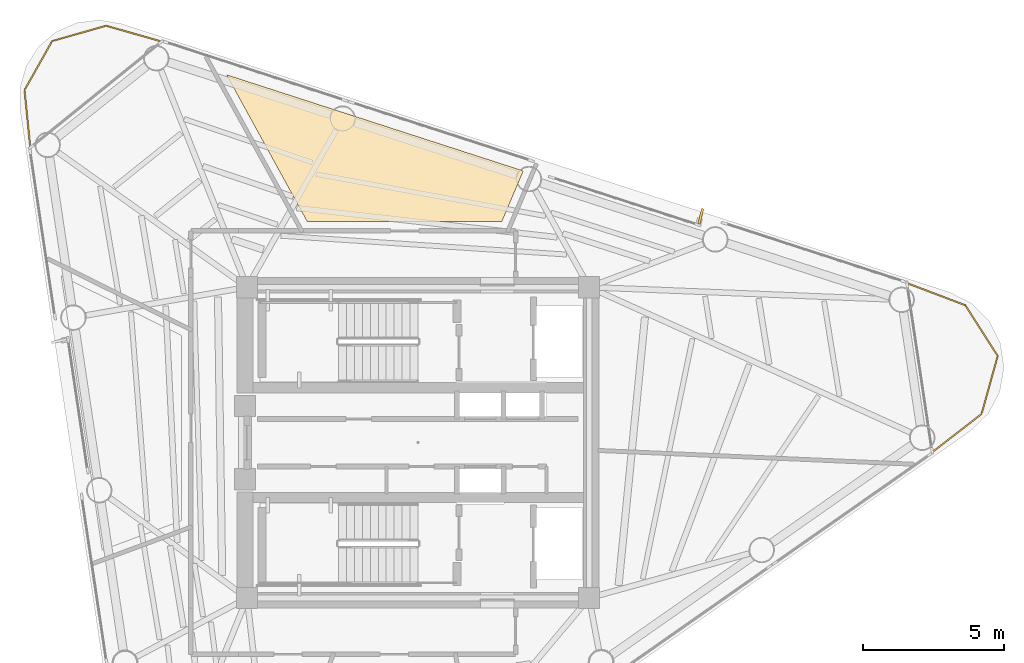
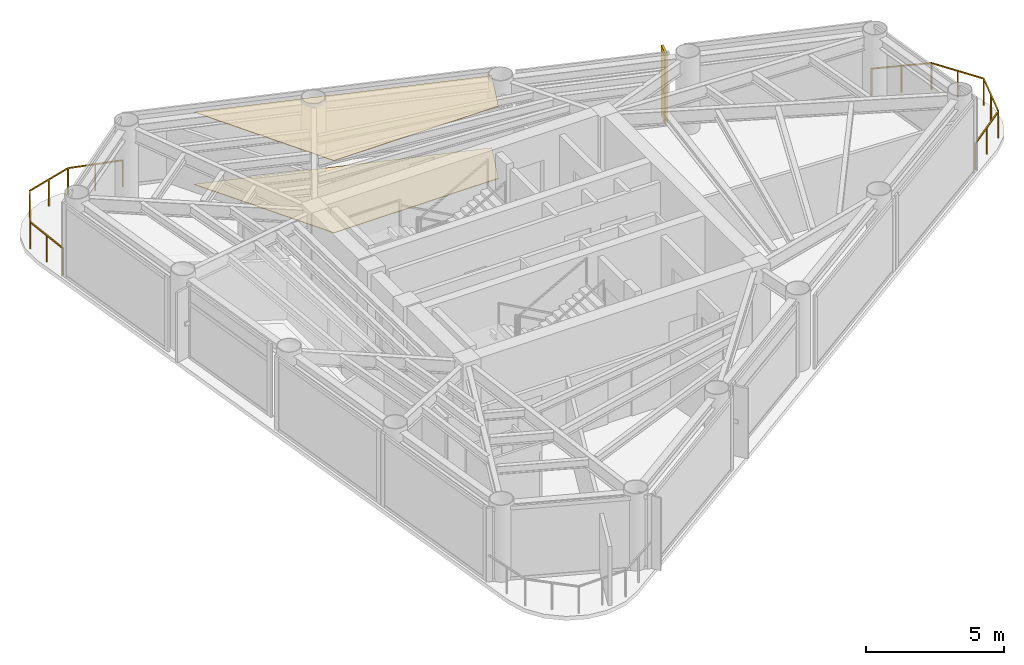
# One storey, part 9 of 9: 2 coverings, 2 railings, 1 shading device.
"""IFC4 building model written with IfcOpenShell, lengths in metres."""

from ifc_helpers import new_model, si_unit, direction, frame, origin, origin_2d, place, context, subcontext, project, spatial, polyline, rectangle, outline, extrude, source, transform, mapped, material, layer, layer_set, material_profile, profile_set, type_object, element, save


model = new_model("IFC4")

# Units and contexts
model_context = context("Model", 3, precision=1e-05, world=origin(), true_north=direction((0.0, 1.0)))
body_context = subcontext(model_context, "Body", "Model", "MODEL_VIEW")
ifc_project = project(units=[si_unit("LENGTHUNIT", "METRE"), si_unit("AREAUNIT", "SQUARE_METRE"), si_unit("VOLUMEUNIT", "CUBIC_METRE"), si_unit("PLANEANGLEUNIT", "RADIAN"), si_unit("MASSUNIT", "GRAM", prefix="KILO")], contexts=[model_context])

# Site, building, storey
site_placement = place(None, origin())
site = spatial("IfcSite", under=ifc_project, at=site_placement, CompositionType="ELEMENT")
building_placement = place(site_placement, origin())
building = spatial("IfcBuilding", under=site, at=building_placement, Name="Yunling Apex Tower", CompositionType="ELEMENT")
storey_placement = place(building_placement, frame((0.0, 0.0, 267.75)))
storey = spatial("IfcBuildingStorey", under=building, at=storey_placement, Name="L65", CompositionType="ELEMENT", Elevation=267.75)

# Coverings
ifc_material_1 = material(Name="Acoustic mineral fibre ceiling")
ifc_layer_1 = layer(ifc_material_1, 0.02490234375)
ifc_layer_set_1 = layer_set([ifc_layer_1], Name="Acoustic mineral fibre ceiling")
covering_type_1 = type_object("IfcCoveringType", Name="CV-CLG-1", PredefinedType="CEILING", material=ifc_layer_set_1)
covering_1_placement = place(storey_placement, frame((0.0, 0.0, 3.195068359375)))
element("IfcCovering", 1, at=covering_1_placement, inside=storey, type_object=covering_type_1, Name="CV-CL-SP-L65-AMN5", PredefinedType="CEILING", context=body_context, shape_type="SweptSolid", body=[
    extrude(outline(polyline([(-6.77978515625, 13.01708984375), (3.721923828125, 9.613037109375), (2.9609375, 7.820068359375), (-3.922607421875, 7.820068359375), (-6.77978515625, 13.01708984375)])), origin(), (0.0, 0.0, 1.0), 0.02490234375),
])
ifc_material_2 = material(Name="Polished granite stone", Category="masonry")
ifc_layer_2 = layer(ifc_material_2, 0.030029296875)
ifc_layer_set_2 = layer_set([ifc_layer_2], Name="Polished granite stone")
covering_type_2 = type_object("IfcCoveringType", Name="CV-FLR-1", PredefinedType="FLOORING", material=ifc_layer_set_2)
covering_2_placement = place(storey_placement, origin())
element("IfcCovering", 2, at=covering_2_placement, inside=storey, type_object=covering_type_2, Name="CV-FL-SP-L65-AMN5", PredefinedType="FLOORING", context=body_context, shape_type="SweptSolid", body=[
    extrude(outline(polyline([(-6.77978515625, 13.01708984375), (3.721923828125, 9.613037109375), (2.9609375, 7.820068359375), (-3.922607421875, 7.820068359375), (-6.77978515625, 13.01708984375)])), origin(), (0.0, 0.0, 1.0), 0.030029296875),
])

# Railings
ifc_material_3 = material(Name="Bronze anodised aluminium", Category="aluminium")
railing_type = type_object("IfcRailingType", Name="RL-BAL-1200", PredefinedType="BALUSTRADE", material=ifc_material_3)
railing_1_placement = place(storey_placement, frame((17.301513671875, 5.64208984375, 0.0)))
element("IfcRailing", 3, at=railing_1_placement, inside=storey, type_object=railing_type, Name="RL-CRNSILL-L65-1", PredefinedType="BALUSTRADE", context=body_context, shape_type="SweptSolid", body=[
    extrude(rectangle(XDim=0.0439453125, YDim=0.0439453125, at=origin_2d()), origin(), (0.0, 0.0, 1.0), 1.199951171875),
    extrude(rectangle(XDim=0.0439453125, YDim=0.0439453125, at=origin_2d()), frame((2.06103515625, -0.78125, 0.0)), (0.0, 0.0, 1.0), 1.199951171875),
    extrude(rectangle(XDim=0.050048828125, YDim=0.050048828125, at=origin_2d()), frame((0.035888671875, -0.013671875, 1.1748046875), z_axis=(0.935076028929, -0.354447203574, 0.0), x_axis=(0.354447203574, 0.935076028929, 0.0)), (0.0, 0.0, 1.0), 2.12744140625),
    extrude(rectangle(XDim=0.0439453125, YDim=0.0439453125, at=origin_2d()), frame((1.030517578125, -0.390625, 0.0)), (0.0, 0.0, 1.0), 1.14599609375),
    extrude(rectangle(XDim=0.0439453125, YDim=0.0439453125, at=origin_2d()), frame((3.207275390625, -2.576904296875, 0.0)), (0.0, 0.0, 1.0), 1.199951171875),
    extrude(rectangle(XDim=0.050048828125, YDim=0.050048828125, at=origin_2d()), frame((2.08154296875, -0.8134765625, 1.1748046875), z_axis=(0.538061440176, -0.842905621405, 0.0), x_axis=(0.842905621405, 0.538061440176, 0.0)), (0.0, 0.0, 1.0), 2.0537109375),
    extrude(rectangle(XDim=0.0439453125, YDim=0.0439453125, at=origin_2d()), frame((2.63427734375, -1.67919921875, 0.0)), (0.0, 0.0, 1.0), 1.14599609375),
    extrude(rectangle(XDim=0.0439453125, YDim=0.0439453125, at=origin_2d()), frame((2.63623046875, -4.62939453125, 0.0)), (0.0, 0.0, 1.0), 1.199951171875),
    extrude(rectangle(XDim=0.050048828125, YDim=0.050048828125, at=origin_2d()), frame((3.197021484375, -2.61376953125, 1.1748046875), z_axis=(-0.268039837369, -0.963407829314, 0.0), x_axis=(0.963407829314, -0.268039837369, 0.0)), (0.0, 0.0, 1.0), 2.0537109375),
    extrude(rectangle(XDim=0.0439453125, YDim=0.0439453125, at=origin_2d()), frame((2.921875, -3.60302734375, 0.0)), (0.0, 0.0, 1.0), 1.14599609375),
    extrude(rectangle(XDim=0.0439453125, YDim=0.0439453125, at=origin_2d()), frame((0.8935546875, -5.979248046875, 0.0)), (0.0, 0.0, 1.0), 1.199951171875),
    extrude(rectangle(XDim=0.050048828125, YDim=0.050048828125, at=origin_2d()), frame((2.60595703125, -4.65283203125, 1.1748046875), z_axis=(-0.790573223341, -0.612367519172, 0.0), x_axis=(0.612367519172, -0.790573223341, 0.0)), (0.0, 0.0, 1.0), 2.127685546875),
    extrude(rectangle(XDim=0.0439453125, YDim=0.0439453125, at=origin_2d()), frame((1.764892578125, -5.30419921875, 0.0)), (0.0, 0.0, 1.0), 1.14599609375),
])
railing_2_placement = place(storey_placement, frame((-13.722900390625, 10.44091796875, 0.0)))
element("IfcRailing", 4, at=railing_2_placement, inside=storey, type_object=railing_type, Name="RL-CRNSILL-L65-2", PredefinedType="BALUSTRADE", context=body_context, shape_type="SweptSolid", body=[
    extrude(rectangle(XDim=0.0439453125, YDim=0.0439453125, at=origin_2d()), origin(), (0.0, 0.0, 1.0), 1.199951171875),
    extrude(rectangle(XDim=0.0439453125, YDim=0.0439453125, at=origin_2d()), frame((-0.20361328125, 2.0341796875, 0.0)), (0.0, 0.0, 1.0), 1.199951171875),
    extrude(rectangle(XDim=0.050048828125, YDim=0.050048828125, at=origin_2d()), frame((-0.00390625, 0.0380859375, 1.1748046875), z_axis=(-0.099598310599, 0.995027726511, 0.0), x_axis=(-0.995027726511, -0.099598310599, 0.0)), (0.0, 0.0, 1.0), 1.9677734375),
    extrude(rectangle(XDim=0.0439453125, YDim=0.0439453125, at=origin_2d()), frame((-0.101806640625, 1.01708984375, 0.0)), (0.0, 0.0, 1.0), 1.14599609375),
    extrude(rectangle(XDim=0.0439453125, YDim=0.0439453125, at=origin_2d()), frame((0.774169921875, 3.7666015625, 0.0)), (0.0, 0.0, 1.0), 1.199951171875),
    extrude(rectangle(XDim=0.050048828125, YDim=0.050048828125, at=origin_2d()), frame((-0.184814453125, 2.067626953125, 1.1748046875), z_axis=(0.491519311586, 0.870866675409, 0.0), x_axis=(-0.870866675409, 0.491519311586, 0.0)), (0.0, 0.0, 1.0), 1.91259765625),
    extrude(rectangle(XDim=0.0439453125, YDim=0.0439453125, at=origin_2d()), frame((0.28515625, 2.900390625, 0.0)), (0.0, 0.0, 1.0), 1.14599609375),
    extrude(rectangle(XDim=0.0439453125, YDim=0.0439453125, at=origin_2d()), frame((2.68115234375, 4.3095703125, 0.0)), (0.0, 0.0, 1.0), 1.199951171875),
    extrude(rectangle(XDim=0.050048828125, YDim=0.050048828125, at=origin_2d()), frame((0.81103515625, 3.777099609375, 1.1748046875), z_axis=(0.961774454599, 0.273842835364, 0.0), x_axis=(-0.273842835364, 0.961774454599, 0.0)), (0.0, 0.0, 1.0), 1.906005859375),
    extrude(rectangle(XDim=0.0439453125, YDim=0.0439453125, at=origin_2d()), frame((1.7275390625, 4.0380859375, 0.0)), (0.0, 0.0, 1.0), 1.14599609375),
    extrude(rectangle(XDim=0.0439453125, YDim=0.0439453125, at=origin_2d()), frame((4.6484375, 3.7509765625, 0.0)), (0.0, 0.0, 1.0), 1.199951171875),
    extrude(rectangle(XDim=0.050048828125, YDim=0.050048828125, at=origin_2d()), frame((2.718017578125, 4.299072265625, 1.1748046875), z_axis=(0.961973149689, -0.273144026618, 0.0), x_axis=(0.273144026618, 0.961973149689, 0.0)), (0.0, 0.0, 1.0), 1.968505859375),
    extrude(rectangle(XDim=0.0439453125, YDim=0.0439453125, at=origin_2d()), frame((3.664794921875, 4.0302734375, 0.0)), (0.0, 0.0, 1.0), 1.14599609375),
])

# Shading device
ifc_material_profile = material_profile(ifc_material_3, rectangle(XDim=0.0849609375, YDim=0.550048828125, at=origin_2d()))
ifc_profile_set = profile_set([ifc_material_profile], Name="Bronze anodised aluminium")
shading_device_type = type_object("IfcShadingDeviceType", Name="FN-BRZ-3", PredefinedType="USERDEFINED", material=ifc_profile_set)
shared_shape = source(origin(), body_context, "Body", "SweptSolid", [
    extrude(rectangle(XDim=0.0849609375, YDim=0.550048828125, at=origin_2d()), origin(), (0.0, 0.0, 1.0), 3.10009765625),
])
shading_device_placement = place(storey_placement, frame((10.0048828125, 8.012451171875, 0.06005859375), z_axis=(0.0, 0.0, 1.0), x_axis=(-0.969402520914, 0.245476582274, 0.0)))
element("IfcShadingDevice", 5, at=shading_device_placement, inside=storey, type_object=shading_device_type, Name="CW-L65-F2-B2-FIN-01", ObjectType="FIN", PredefinedType="USERDEFINED", context=body_context, shape_type="MappedRepresentation", body=[
    mapped(shared_shape, transform((0.0, 0.0, 0.0), scale=1.0)),
])

save(model, "model.ifc")
